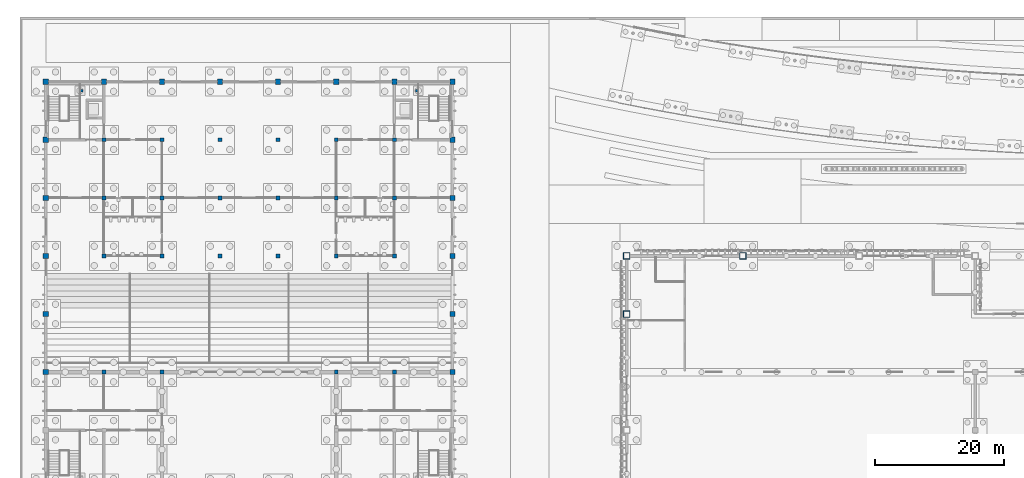
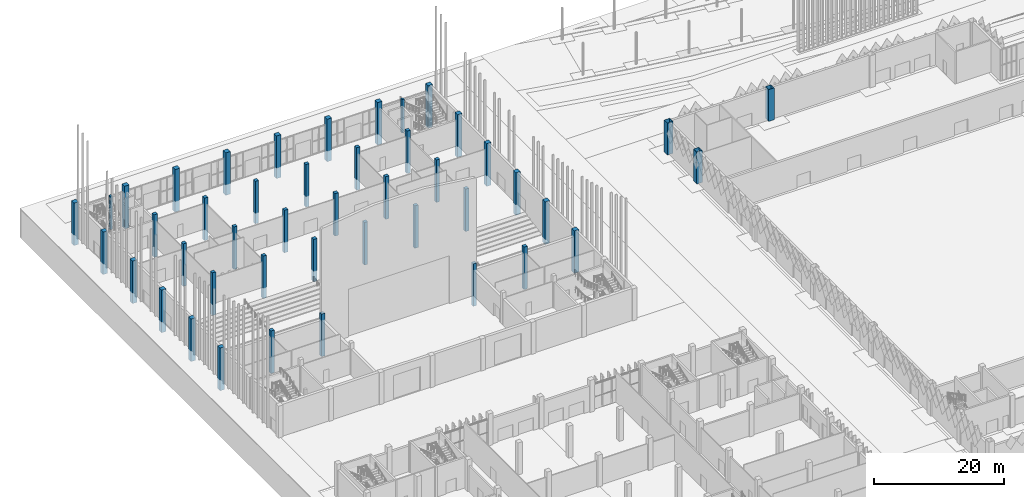
# One storey, part 23 of 198: 45 columns.
"""IFC4 building model written with IfcOpenShell, lengths in metres."""

from ifc_helpers import new_model, si_unit, direction, frame, origin, origin_2d, place, context, subcontext, project, spatial, rectangle, hollow_rectangle, extrude, material, material_profile, profile_set, type_object, element, save


model = new_model("IFC4")

# Units and contexts
model_context = context("Model", 3, precision=1e-05, world=origin(), true_north=direction((0.0, 1.0)))
body_context = subcontext(model_context, "Body", "Model", "MODEL_VIEW")
ifc_project = project(units=[si_unit("LENGTHUNIT", "METRE"), si_unit("AREAUNIT", "SQUARE_METRE"), si_unit("VOLUMEUNIT", "CUBIC_METRE"), si_unit("PLANEANGLEUNIT", "RADIAN"), si_unit("MASSUNIT", "GRAM", prefix="KILO")], contexts=[model_context])

# Site, building, storey
site_placement = place(None, origin())
site = spatial("IfcSite", under=ifc_project, at=site_placement, CompositionType="ELEMENT")
building_placement = place(site_placement, origin())
building = spatial("IfcBuilding", under=site, at=building_placement, Name="Opaline Strait Convention Centre", CompositionType="ELEMENT")
storey_placement = place(building_placement, origin())
storey = spatial("IfcBuildingStorey", under=building, at=storey_placement, Name="L00", CompositionType="ELEMENT", Elevation=0.0)

# Columns
ifc_material_1 = material(Name="Steel Q355B", Category="steel")
ifc_material_profile_1 = material_profile(ifc_material_1, hollow_rectangle(XDim=1.0, YDim=1.0, WallThickness=0.031982421875, at=origin_2d()), Name="BOX 1000x1000x32")
ifc_profile_set_1 = profile_set([ifc_material_profile_1], Name="Steel Q355B")
column_type_1 = type_object("IfcColumnType", Name="CFT column BOX 1000x1000x32 C60 fill", PredefinedType="COLUMN", material=ifc_profile_set_1)
for number, where, z_axis, x_axis, name in (
    (1, (99.0, 144.0, 0.0), (0.0, 0.0, 1.0), (1.0, 0.0, 0.0), "Roof column XC-06"),
    (2, (99.0, 153.0, 0.0), (0.0, 0.0, 1.0), (1.0, 0.0, 0.0), "Roof column XC-07"),
    (3, (117.0, 153.0, 0.0), (0.0, 0.0, 1.0), (1.0, 0.0, 0.0), "Roof column XC-09"),
):
    element("IfcColumn", number, at=place(storey_placement, frame(where, z_axis=z_axis, x_axis=x_axis)), inside=storey, type_object=column_type_1, Name=name, ObjectType="XC1", PredefinedType="COLUMN", context=body_context, shape_type="SweptSolid", body=[
        extrude(hollow_rectangle(XDim=1.0, YDim=1.0, WallThickness=0.031982421875, at=origin_2d()), origin(), (0.0, 0.0, 1.0), 6.0),
    ])
ifc_material_2 = material(Name="Concrete C40", Category="concrete")
ifc_material_profile_2 = material_profile(ifc_material_2, rectangle(XDim=0.39990234375, YDim=0.39990234375, at=origin_2d()), Name="RC 400x400")
ifc_profile_set_2 = profile_set([ifc_material_profile_2], Name="Concrete C40")
column_type_2 = type_object("IfcColumnType", Name="RC column 400x400 C40", PredefinedType="COLUMN", material=ifc_profile_set_2)
for number, where, z_axis, x_axis, name in (
    (4, (14.550048828125, 178.60009765625, -0.300048828125), (0.0, 0.0, 1.0), (1.0, 0.0, 0.0), "PC3 L00 NW stair landing column"),
    (5, (66.449951171875, 178.60009765625, -0.300048828125), (0.0, 0.0, 1.0), (1.0, 0.0, 0.0), "PC3 L00 NE stair landing column"),
):
    element("IfcColumn", number, at=place(storey_placement, frame(where, z_axis=z_axis, x_axis=x_axis)), inside=storey, type_object=column_type_2, Name=name, PredefinedType="COLUMN", context=body_context, shape_type="SweptSolid", body=[
        extrude(rectangle(XDim=0.39990234375, YDim=0.39990234375, at=origin_2d()), origin(), (0.0, 0.0, 1.0), 6.300048828125),
    ])
ifc_material_profile_3 = material_profile(ifc_material_2, rectangle(XDim=0.60009765625, YDim=0.60009765625, at=origin_2d()), Name="RC 600x600")
ifc_profile_set_3 = profile_set([ifc_material_profile_3], Name="Concrete C40")
column_type_3 = type_object("IfcColumnType", Name="RC column 600x600 C40", PredefinedType="COLUMN", material=ifc_profile_set_3)
for number, where, z_axis, x_axis, name in (
    (6, (18.0, 135.0, -2.0), (0.0, 0.0, 1.0), (1.0, 0.0, 0.0), "PC2 L00 at 3/R"),
    (7, (27.0, 135.0, -2.0), (0.0, 0.0, 1.0), (1.0, 0.0, 0.0), "PC2 L00 at 4/R"),
    (8, (54.0, 135.0, -2.0), (0.0, 0.0, 1.0), (1.0, 0.0, 0.0), "PC2 L00 at 7/R"),
    (9, (63.0, 135.0, -2.0), (0.0, 0.0, 1.0), (1.0, 0.0, 0.0), "PC2 L00 at 8/R"),
    (10, (18.0, 153.0, -2.0), (0.0, 0.0, 1.0), (1.0, 0.0, 0.0), "PC2 L00 at 3/T"),
    (11, (27.0, 153.0, -2.0), (0.0, 0.0, 1.0), (1.0, 0.0, 0.0), "PC2 L00 at 4/T"),
    (12, (36.0, 153.0, -2.0), (0.0, 0.0, 1.0), (1.0, 0.0, 0.0), "PC2 L00 at 5/T"),
    (13, (45.0, 153.0, -2.0), (0.0, 0.0, 1.0), (1.0, 0.0, 0.0), "PC2 L00 at 6/T"),
    (14, (54.0, 153.0, -2.0), (0.0, 0.0, 1.0), (1.0, 0.0, 0.0), "PC2 L00 at 7/T"),
    (15, (63.0, 153.0, -2.0), (0.0, 0.0, 1.0), (1.0, 0.0, 0.0), "PC2 L00 at 8/T"),
    (16, (18.0, 162.0, -2.0), (0.0, 0.0, 1.0), (1.0, 0.0, 0.0), "PC2 L00 at 3/U"),
    (17, (27.0, 162.0, -2.0), (0.0, 0.0, 1.0), (1.0, 0.0, 0.0), "PC2 L00 at 4/U"),
    (18, (36.0, 162.0, -2.0), (0.0, 0.0, 1.0), (1.0, 0.0, 0.0), "PC2 L00 at 5/U"),
    (19, (45.0, 162.0, -2.0), (0.0, 0.0, 1.0), (1.0, 0.0, 0.0), "PC2 L00 at 6/U"),
    (20, (54.0, 162.0, -2.0), (0.0, 0.0, 1.0), (1.0, 0.0, 0.0), "PC2 L00 at 7/U"),
    (21, (63.0, 162.0, -2.0), (0.0, 0.0, 1.0), (1.0, 0.0, 0.0), "PC2 L00 at 8/U"),
    (22, (18.0, 171.0, -2.0), (0.0, 0.0, 1.0), (1.0, 0.0, 0.0), "PC2 L00 at 3/V"),
    (23, (27.0, 171.0, -2.0), (0.0, 0.0, 1.0), (1.0, 0.0, 0.0), "PC2 L00 at 4/V"),
    (24, (36.0, 171.0, -2.0), (0.0, 0.0, 1.0), (1.0, 0.0, 0.0), "PC2 L00 at 5/V"),
    (25, (45.0, 171.0, -2.0), (0.0, 0.0, 1.0), (1.0, 0.0, 0.0), "PC2 L00 at 6/V"),
    (26, (54.0, 171.0, -2.0), (0.0, 0.0, 1.0), (1.0, 0.0, 0.0), "PC2 L00 at 7/V"),
    (27, (63.0, 171.0, -2.0), (0.0, 0.0, 1.0), (1.0, 0.0, 0.0), "PC2 L00 at 8/V"),
):
    element("IfcColumn", number, at=place(storey_placement, frame(where, z_axis=z_axis, x_axis=x_axis)), inside=storey, type_object=column_type_3, Name=name, PredefinedType="COLUMN", context=body_context, shape_type="SweptSolid", body=[
        extrude(rectangle(XDim=0.60009765625, YDim=0.60009765625, at=origin_2d()), origin(), (0.0, 0.0, 1.0), 8.0),
    ])
ifc_material_profile_4 = material_profile(ifc_material_2, rectangle(XDim=0.800048828125, YDim=0.800048828125, at=origin_2d()), Name="RC 800x800")
ifc_profile_set_4 = profile_set([ifc_material_profile_4], Name="Concrete C40")
column_type_4 = type_object("IfcColumnType", Name="RC column 800x800 C40", PredefinedType="COLUMN", material=ifc_profile_set_4)
for number, where, z_axis, x_axis, name in (
    (28, (9.0, 135.0, -2.0), (0.0, 0.0, 1.0), (1.0, 0.0, 0.0), "XC2 L00 at 2/R"),
    (29, (72.0, 135.0, -2.0), (0.0, 0.0, 1.0), (1.0, 0.0, 0.0), "XC2 L00 at 9/R"),
    (30, (9.0, 144.0, -2.0), (0.0, 0.0, 1.0), (1.0, 0.0, 0.0), "XC2 L00 at 2/S"),
    (31, (72.0, 144.0, -2.0), (0.0, 0.0, 1.0), (1.0, 0.0, 0.0), "XC2 L00 at 9/S"),
    (32, (9.0, 153.0, -2.0), (0.0, 0.0, 1.0), (1.0, 0.0, 0.0), "XC2 L00 at 2/T"),
    (33, (72.0, 153.0, -2.0), (0.0, 0.0, 1.0), (1.0, 0.0, 0.0), "XC2 L00 at 9/T"),
    (34, (9.0, 162.0, -2.0), (0.0, 0.0, 1.0), (1.0, 0.0, 0.0), "XC2 L00 at 2/U"),
    (35, (72.0, 162.0, -2.0), (0.0, 0.0, 1.0), (1.0, 0.0, 0.0), "XC2 L00 at 9/U"),
    (36, (9.0, 171.0, -2.0), (0.0, 0.0, 1.0), (1.0, 0.0, 0.0), "XC2 L00 at 2/V"),
    (37, (72.0, 171.0, -2.0), (0.0, 0.0, 1.0), (1.0, 0.0, 0.0), "XC2 L00 at 9/V"),
    (38, (9.0, 180.0, -2.0), (0.0, 0.0, 1.0), (1.0, 0.0, 0.0), "XC2 L00 at 2/W"),
    (39, (18.0, 180.0, -2.0), (0.0, 0.0, 1.0), (1.0, 0.0, 0.0), "XC2 L00 at 3/W"),
    (40, (27.0, 180.0, -2.0), (0.0, 0.0, 1.0), (1.0, 0.0, 0.0), "XC2 L00 at 4/W"),
    (41, (36.0, 180.0, -2.0), (0.0, 0.0, 1.0), (1.0, 0.0, 0.0), "XC2 L00 at 5/W"),
    (42, (45.0, 180.0, -2.0), (0.0, 0.0, 1.0), (1.0, 0.0, 0.0), "XC2 L00 at 6/W"),
    (43, (54.0, 180.0, -2.0), (0.0, 0.0, 1.0), (1.0, 0.0, 0.0), "XC2 L00 at 7/W"),
    (44, (63.0, 180.0, -2.0), (0.0, 0.0, 1.0), (1.0, 0.0, 0.0), "XC2 L00 at 8/W"),
    (45, (72.0, 180.0, -2.0), (0.0, 0.0, 1.0), (1.0, 0.0, 0.0), "XC2 L00 at 9/W"),
):
    element("IfcColumn", number, at=place(storey_placement, frame(where, z_axis=z_axis, x_axis=x_axis)), inside=storey, type_object=column_type_4, Name=name, PredefinedType="COLUMN", context=body_context, shape_type="SweptSolid", body=[
        extrude(rectangle(XDim=0.800048828125, YDim=0.800048828125, at=origin_2d()), origin(), (0.0, 0.0, 1.0), 8.0),
    ])

save(model, "model.ifc")
